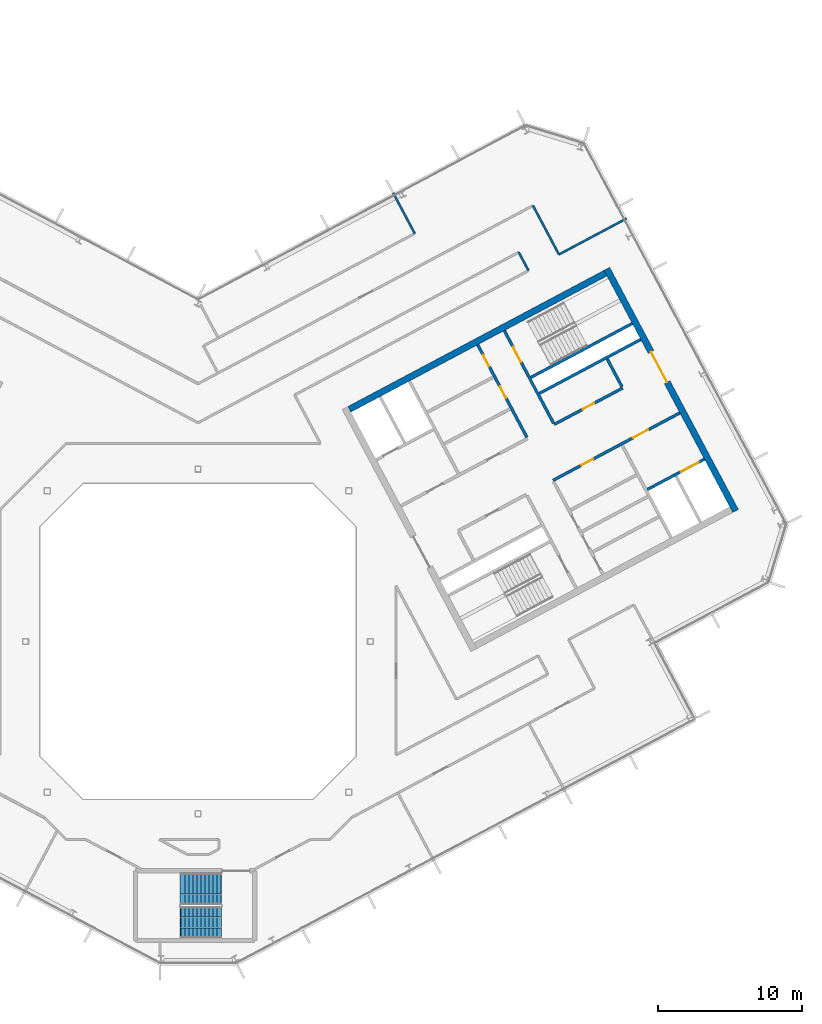
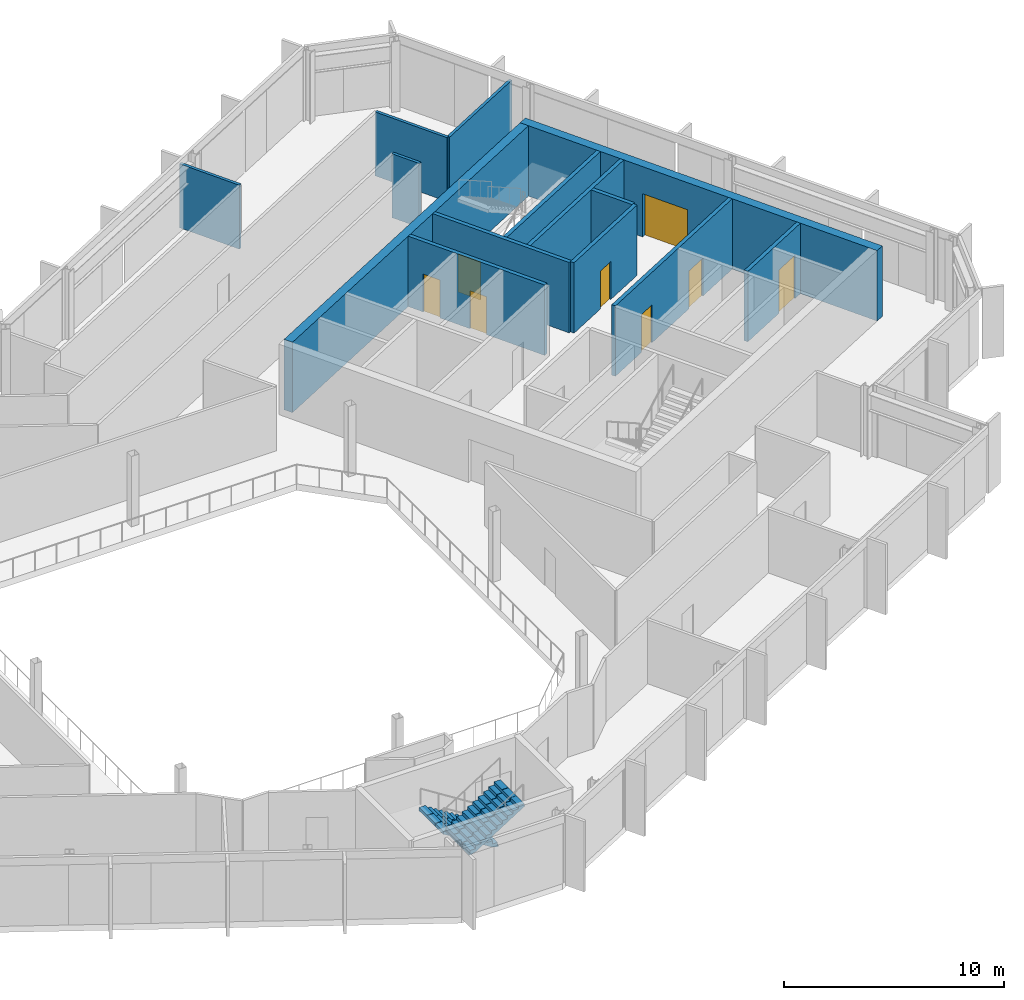
# One storey, part 17 of 26: 14 walls, 8 doors, 2 stair flights, 8 openings, 1 element without a shape of its own.
"""IFC4 building model written with IfcOpenShell, lengths in metres."""

from ifc_helpers import new_model, si_unit, direction, frame, frame_2d, origin, place, context, subcontext, project, spatial, polyline, rectangle, outline, extrude, material, layer, layer_set, type_object, element, fill, aggregate, save


model = new_model("IFC4")

# Units and contexts
model_context = context("Model", 3, precision=1e-05, world=origin(), true_north=direction((0.0, 1.0)))
body_context = subcontext(model_context, "Body", "Model", "MODEL_VIEW")
ifc_project = project(units=[si_unit("LENGTHUNIT", "METRE"), si_unit("AREAUNIT", "SQUARE_METRE"), si_unit("VOLUMEUNIT", "CUBIC_METRE"), si_unit("PLANEANGLEUNIT", "RADIAN"), si_unit("MASSUNIT", "GRAM", prefix="KILO")], contexts=[model_context])

# Site, building, storey
site_placement = place(None, origin())
site = spatial("IfcSite", under=ifc_project, at=site_placement, CompositionType="ELEMENT")
building_placement = place(site_placement, origin())
building = spatial("IfcBuilding", under=site, at=building_placement, Name="Cormorant Relay Tower", CompositionType="ELEMENT")
storey_placement = place(building_placement, frame((0.0, 0.0, 312.60009765625)))
storey = spatial("IfcBuildingStorey", under=building, at=storey_placement, Name="L71", CompositionType="ELEMENT", Elevation=312.60009765625)

# Wall, openings, doors
ifc_material_1 = material(Name="Concrete 50 MPa", Category="concrete")
ifc_layer_1 = layer(ifc_material_1, 0.199951171875)
ifc_layer_set_1 = layer_set([ifc_layer_1], Name="Core shaft wall 200")
wall_type_1 = type_object("IfcWallType", Name="Core shaft wall 200", PredefinedType="SHEAR", material=ifc_layer_set_1)
wall_1_placement = place(storey_placement, frame((22.90625, 14.218017578125, 0.0), z_axis=(0.0, 0.0, 1.0), x_axis=(-0.469480409012, 0.88294288918, 0.0)))
wall_1 = element("IfcWall", 1, at=wall_1_placement, inside=storey, type_object=wall_type_1, Name="L71 core B shaft wall", PredefinedType="SHEAR", context=body_context, shape_type="SweptSolid", body=[
    extrude(rectangle(XDim=7.300048828125, YDim=0.199951171875, at=frame_2d((3.64990234375, 0.0))), origin(), (0.0, 0.0, 1.0), 3.89990234375),
])
opening_1_placement = place(wall_1_placement, frame((3.10009765625, 0.0, 0.0)))
opening_1 = element("IfcOpeningElement", 2, at=opening_1_placement, cuts=wall_1, Name="Opening CDD-348", PredefinedType="OPENING", context=body_context, shape_type="SweptSolid", body=[
    extrude(rectangle(XDim=0.89990234375, YDim=2.10009765625, at=frame_2d((0.449951171875, 1.050048828125))), frame((0.0, 0.10986328125, 0.0), z_axis=(0.0, -1.0, 0.0), x_axis=(1.0, 0.0, 0.0)), (0.0, 0.0, 1.0), 0.219970703125),
])
opening_2_placement = place(wall_1_placement, frame((5.60009765625, 0.0, 0.0)))
opening_2 = element("IfcOpeningElement", 3, at=opening_2_placement, cuts=wall_1, Name="Opening CDD-349", PredefinedType="OPENING", context=body_context, shape_type="SweptSolid", body=[
    extrude(rectangle(XDim=0.89990234375, YDim=2.10009765625, at=frame_2d((0.449951171875, 1.050048828125))), frame((0.0, 0.10986328125, 0.0), z_axis=(0.0, -1.0, 0.0), x_axis=(1.0, 0.0, 0.0)), (0.0, 0.0, 1.0), 0.219970703125),
])
ifc_material_2 = material(Name="Steel fire door", Category="steel")
door_type_1 = type_object("IfcDoorType", Name="Core room door 900x2100", OperationType="SINGLE_SWING_LEFT", PredefinedType="DOOR", material=ifc_material_2)
door_1_placement = place(opening_1_placement, origin())
door_1 = element("IfcDoor", 4, at=door_1_placement, inside=storey, type_object=door_type_1, Name="Core room door 900x2100", OperationType="SINGLE_SWING_RIGHT", OverallHeight=2.10009765625, OverallWidth=0.89990234375, PredefinedType="DOOR", context=body_context, shape_type="SweptSolid", body=[
    extrude(rectangle(XDim=0.89990234375, YDim=2.10009765625, at=frame_2d((0.449951171875, 1.050048828125))), frame((0.0, 0.02490234375, 0.0), z_axis=(0.0, -1.0, 0.0), x_axis=(1.0, 0.0, 0.0)), (0.0, 0.0, 1.0), 0.050048828125),
])
fill(opening_1, door_1)
door_2_placement = place(opening_2_placement, origin())
door_2 = element("IfcDoor", 5, at=door_2_placement, inside=storey, type_object=door_type_1, Name="Core room door 900x2100", OperationType="SINGLE_SWING_LEFT", OverallHeight=2.10009765625, OverallWidth=0.89990234375, PredefinedType="DOOR", context=body_context, shape_type="SweptSolid", body=[
    extrude(rectangle(XDim=0.89990234375, YDim=2.10009765625, at=frame_2d((0.449951171875, 1.050048828125))), frame((0.0, 0.02490234375, 0.0), z_axis=(0.0, -1.0, 0.0), x_axis=(1.0, 0.0, 0.0)), (0.0, 0.0, 1.0), 0.050048828125),
])
fill(opening_2, door_2)

# Wall, opening, door
wall_2_placement = place(storey_placement, frame((24.760498046875, 15.2041015625, 0.0), z_axis=(0.0, 0.0, 1.0), x_axis=(-0.469494272526, 0.882935517501, 0.0)))
wall_2 = element("IfcWall", 6, at=wall_2_placement, inside=storey, type_object=wall_type_1, Name="L71 core B shaft wall", PredefinedType="SHEAR", context=body_context, shape_type="SweptSolid", body=[
    extrude(rectangle(XDim=7.2998046875, YDim=0.199951171875, at=frame_2d((3.64990234375, 0.0))), origin(), (0.0, 0.0, 1.0), 3.89990234375),
])
opening_3_placement = place(wall_2_placement, frame((4.800048828125, 0.0, 0.0)))
opening_3 = element("IfcOpeningElement", 7, at=opening_3_placement, cuts=wall_2, Name="Opening CDB-041", PredefinedType="OPENING", context=body_context, shape_type="SweptSolid", body=[
    extrude(rectangle(XDim=1.199951171875, YDim=2.10009765625, at=frame_2d((0.60009765625, 1.050048828125))), frame((0.0, 0.10986328125, 0.0), z_axis=(0.0, -1.0, 0.0), x_axis=(1.0, 0.0, 0.0)), (0.0, 0.0, 1.0), 0.219970703125),
])
ifc_material_3 = material(Name="Steel fire door", Category="steel")
door_type_2 = type_object("IfcDoorType", Name="Core stair door 1200x2100", OperationType="SINGLE_SWING_LEFT", PredefinedType="DOOR", material=ifc_material_3)
door_3_placement = place(opening_3_placement, frame((1.199951171875, 0.0, 0.0), z_axis=(0.0, 0.0, 1.0), x_axis=(-1.0, 0.0, 0.0)))
door_3 = element("IfcDoor", 8, at=door_3_placement, inside=storey, type_object=door_type_2, Name="Core stair door 1200x2100", OperationType="SINGLE_SWING_RIGHT", OverallHeight=2.10009765625, OverallWidth=1.199951171875, PredefinedType="DOOR", context=body_context, shape_type="SweptSolid", body=[
    extrude(rectangle(XDim=1.199951171875, YDim=2.10009765625, at=frame_2d((0.60009765625, 1.050048828125))), frame((0.0, 0.02490234375, 0.0), z_axis=(0.0, -1.0, 0.0), x_axis=(1.0, 0.0, 0.0)), (0.0, 0.0, 1.0), 0.050048828125),
])
fill(opening_3, door_3)

# Wall
wall_3_placement = place(storey_placement, frame((29.5283203125, 17.739013671875, 0.0), z_axis=(0.0, 0.0, 1.0), x_axis=(-0.469401318492, 0.882984938828, 0.0)))
element("IfcWall", 9, at=wall_3_placement, inside=storey, type_object=wall_type_1, Name="L71 core B shaft wall", PredefinedType="SHEAR", context=body_context, shape_type="SweptSolid", body=[
    extrude(rectangle(XDim=2.199951171875, YDim=0.199951171875, at=frame_2d((1.10009765625, 0.0))), origin(), (0.0, 0.0, 1.0), 3.89990234375),
])

# Wall, opening, door
wall_4_placement = place(storey_placement, frame((31.295654296875, 10.5810546875, 0.0), z_axis=(0.0, 0.0, 1.0), x_axis=(0.882960433586, 0.469447412093, 0.0)))
wall_4 = element("IfcWall", 10, at=wall_4_placement, inside=storey, type_object=wall_type_1, Name="L71 core B shaft wall", PredefinedType="SHEAR", context=body_context, shape_type="SweptSolid", body=[
    extrude(rectangle(XDim=4.5, YDim=0.199951171875, at=frame_2d((2.25, 0.0))), origin(), (0.0, 0.0, 1.0), 3.89990234375),
])
opening_4_placement = place(wall_4_placement, frame((2.64990234375, 0.0, 0.0)))
opening_4 = element("IfcOpeningElement", 11, at=opening_4_placement, cuts=wall_4, Name="Opening LD3-016", PredefinedType="OPENING", context=body_context, shape_type="SweptSolid", body=[
    extrude(rectangle(XDim=1.39990234375, YDim=2.39990234375, at=frame_2d((0.699951171875, 1.199951171875))), frame((0.0, 0.10986328125, 0.0), z_axis=(0.0, -1.0, 0.0), x_axis=(1.0, 0.0, 0.0)), (0.0, 0.0, 1.0), 0.219970703125),
])
ifc_material_4 = material(Name="Stainless steel 316", Category="steel")
door_type_3 = type_object("IfcDoorType", Name="Lift landing door 1400x2400", OperationType="DOUBLE_DOOR_SLIDING", PredefinedType="DOOR", material=ifc_material_4)
door_4_placement = place(opening_4_placement, origin())
door_4 = element("IfcDoor", 12, at=door_4_placement, inside=storey, type_object=door_type_3, Name="SV2 landing door", OperationType="DOUBLE_DOOR_SLIDING", OverallHeight=2.39990234375, OverallWidth=1.39990234375, PredefinedType="DOOR", context=body_context, shape_type="SweptSolid", body=[
    extrude(rectangle(XDim=1.39990234375, YDim=2.39990234375, at=frame_2d((0.699951171875, 1.199951171875))), frame((0.0, 0.02490234375, 0.0), z_axis=(0.0, -1.0, 0.0), x_axis=(1.0, 0.0, 0.0)), (0.0, 0.0, 1.0), 0.050048828125),
])
fill(opening_4, door_4)

# Wall, openings, doors
wall_5_placement = place(storey_placement, frame((24.72607421875, 11.2216796875, 0.0), z_axis=(0.0, 0.0, 1.0), x_axis=(0.882940221191, 0.469485426614, 0.0)))
wall_5 = element("IfcWall", 13, at=wall_5_placement, inside=storey, type_object=wall_type_1, Name="L71 core B shaft wall", PredefinedType="SHEAR", context=body_context, shape_type="SweptSolid", body=[
    extrude(rectangle(XDim=10.0, YDim=0.199951171875, at=frame_2d((5.0, 0.0))), origin(), (0.0, 0.0, 1.0), 3.89990234375),
])
opening_5_placement = place(wall_5_placement, frame((6.300048828125, 0.0, 0.0)))
opening_5 = element("IfcOpeningElement", 14, at=opening_5_placement, cuts=wall_5, Name="Opening CDC-038", PredefinedType="OPENING", context=body_context, shape_type="SweptSolid", body=[
    extrude(rectangle(XDim=1.199951171875, YDim=2.10009765625, at=frame_2d((0.60009765625, 1.050048828125))), frame((0.0, 0.10986328125, 0.0), z_axis=(0.0, -1.0, 0.0), x_axis=(1.0, 0.0, 0.0)), (0.0, 0.0, 1.0), 0.219970703125),
])
opening_6_placement = place(wall_5_placement, frame((2.25, 0.0, 0.0)))
opening_6 = element("IfcOpeningElement", 15, at=opening_6_placement, cuts=wall_5, Name="Opening CDD-332", PredefinedType="OPENING", context=body_context, shape_type="SweptSolid", body=[
    extrude(rectangle(XDim=0.89990234375, YDim=2.10009765625, at=frame_2d((0.449951171875, 1.050048828125))), frame((0.0, 0.10986328125, 0.0), z_axis=(0.0, -1.0, 0.0), x_axis=(1.0, 0.0, 0.0)), (0.0, 0.0, 1.0), 0.219970703125),
])
ifc_material_5 = material(Name="Steel fire door", Category="steel")
door_type_4 = type_object("IfcDoorType", Name="Core lobby door 1200x2100", OperationType="SINGLE_SWING_LEFT", PredefinedType="DOOR", material=ifc_material_5)
door_5_placement = place(opening_5_placement, origin())
door_5 = element("IfcDoor", 16, at=door_5_placement, inside=storey, type_object=door_type_4, Name="Core lobby door 1200x2100", OperationType="SINGLE_SWING_LEFT", OverallHeight=2.10009765625, OverallWidth=1.199951171875, PredefinedType="DOOR", context=body_context, shape_type="SweptSolid", body=[
    extrude(rectangle(XDim=1.199951171875, YDim=2.10009765625, at=frame_2d((0.60009765625, 1.050048828125))), frame((0.0, 0.02490234375, 0.0), z_axis=(0.0, -1.0, 0.0), x_axis=(1.0, 0.0, 0.0)), (0.0, 0.0, 1.0), 0.050048828125),
])
fill(opening_5, door_5)
door_6_placement = place(opening_6_placement, origin())
door_6 = element("IfcDoor", 17, at=door_6_placement, inside=storey, type_object=door_type_1, Name="Core room door 900x2100", OperationType="SINGLE_SWING_LEFT", OverallHeight=2.10009765625, OverallWidth=0.89990234375, PredefinedType="DOOR", context=body_context, shape_type="SweptSolid", body=[
    extrude(rectangle(XDim=0.89990234375, YDim=2.10009765625, at=frame_2d((0.449951171875, 1.050048828125))), frame((0.0, 0.02490234375, 0.0), z_axis=(0.0, -1.0, 0.0), x_axis=(1.0, 0.0, 0.0)), (0.0, 0.0, 1.0), 0.050048828125),
])
fill(opening_6, door_6)

# Wall, opening, door
wall_6_placement = place(storey_placement, frame((24.807373046875, 15.11572265625, 0.0), z_axis=(0.0, 0.0, 1.0), x_axis=(0.882942972946, 0.469480251476, 0.0)))
wall_6 = element("IfcWall", 18, at=wall_6_placement, inside=storey, type_object=wall_type_1, Name="L71 core B shaft wall", PredefinedType="SHEAR", context=body_context, shape_type="SweptSolid", body=[
    extrude(rectangle(XDim=5.39990234375, YDim=0.199951171875, at=frame_2d((2.699951171875, 0.0))), origin(), (0.0, 0.0, 1.0), 3.89990234375),
])
opening_7_placement = place(wall_6_placement, frame((2.25, 0.0, 0.0)))
opening_7 = element("IfcOpeningElement", 19, at=opening_7_placement, cuts=wall_6, Name="Opening CDD-261", PredefinedType="OPENING", context=body_context, shape_type="SweptSolid", body=[
    extrude(rectangle(XDim=0.89990234375, YDim=2.10009765625, at=frame_2d((0.449951171875, 1.050048828125))), frame((0.0, 0.10986328125, 0.0), z_axis=(0.0, -1.0, 0.0), x_axis=(1.0, 0.0, 0.0)), (0.0, 0.0, 1.0), 0.219970703125),
])
door_7_placement = place(opening_7_placement, origin())
door_7 = element("IfcDoor", 20, at=door_7_placement, inside=storey, type_object=door_type_1, Name="Core room door 900x2100", OperationType="SINGLE_SWING_LEFT", OverallHeight=2.10009765625, OverallWidth=0.89990234375, PredefinedType="DOOR", context=body_context, shape_type="SweptSolid", body=[
    extrude(rectangle(XDim=0.89990234375, YDim=2.10009765625, at=frame_2d((0.449951171875, 1.050048828125))), frame((0.0, 0.02490234375, 0.0), z_axis=(0.0, -1.0, 0.0), x_axis=(1.0, 0.0, 0.0)), (0.0, 0.0, 1.0), 0.050048828125),
])
fill(opening_7, door_7)

# Walls
wall_7_placement = place(storey_placement, frame((23.76904296875, 17.28173828125, 0.0), z_axis=(0.0, 0.0, 1.0), x_axis=(0.882940221191, 0.469485426614, 0.0)))
element("IfcWall", 21, at=wall_7_placement, inside=storey, type_object=wall_type_1, Name="L71 core B shaft wall", PredefinedType="SHEAR", context=body_context, shape_type="SweptSolid", body=[
    extrude(rectangle(XDim=8.0, YDim=0.199951171875, at=frame_2d((4.0, 0.0))), origin(), (0.0, 0.0, 1.0), 3.89990234375),
])
wall_8_placement = place(storey_placement, frame((23.18212890625, 18.385498046875, 0.0), z_axis=(0.0, 0.0, 1.0), x_axis=(0.88295287151, 0.469461634952, 0.0)))
element("IfcWall", 22, at=wall_8_placement, inside=storey, type_object=wall_type_1, Name="L71 core B shaft wall", PredefinedType="SHEAR", context=body_context, shape_type="SweptSolid", body=[
    extrude(rectangle(XDim=7.999755859375, YDim=0.199951171875, at=frame_2d((4.0, 0.0))), origin(), (0.0, 0.0, 1.0), 3.89990234375),
])

# Wall, opening, door
ifc_material_6 = material(Name="Concrete 50 MPa", Category="concrete")
ifc_layer_2 = layer(ifc_material_6, 0.449951171875)
ifc_layer_set_2 = layer_set([ifc_layer_2], Name="Core wall 450")
wall_type_2 = type_object("IfcWallType", Name="Core wall 450", PredefinedType="SHEAR", material=ifc_layer_set_2)
wall_9_placement = place(storey_placement, frame((37.439453125, 9.0908203125, 0.0), z_axis=(0.0, 0.0, 1.0), x_axis=(-0.469467968382, 0.882949504028, 0.0)))
wall_9 = element("IfcWall", 23, at=wall_9_placement, inside=storey, type_object=wall_type_2, Name="L71 core B wall", PredefinedType="SHEAR", context=body_context, shape_type="SweptSolid", body=[
    extrude(rectangle(XDim=19.099853515625, YDim=0.449951171875, at=frame_2d((9.5498046875, 0.0))), origin(), (0.0, 0.0, 1.0), 3.89990234375),
])
opening_8_placement = place(wall_9_placement, frame((10.14990234375, 0.0, 0.0)))
opening_8 = element("IfcOpeningElement", 24, at=opening_8_placement, cuts=wall_9, Name="Opening CDA-053", PredefinedType="OPENING", context=body_context, shape_type="SweptSolid", body=[
    extrude(rectangle(XDim=2.39990234375, YDim=2.39990234375, at=frame_2d((1.199951171875, 1.199951171875))), frame((0.0, 0.23486328125, 0.0), z_axis=(0.0, -1.0, 0.0), x_axis=(1.0, 0.0, 0.0)), (0.0, 0.0, 1.0), 0.469970703125),
])
ifc_material_7 = material(Name="Steel fire door", Category="steel")
door_type_5 = type_object("IfcDoorType", Name="Core lobby door 2400x2400", OperationType="DOUBLE_DOOR_SINGLE_SWING", PredefinedType="DOOR", material=ifc_material_7)
door_8_placement = place(opening_8_placement, origin())
door_8 = element("IfcDoor", 25, at=door_8_placement, inside=storey, type_object=door_type_5, Name="Core lobby door 2400x2400", OperationType="DOUBLE_DOOR_SINGLE_SWING", OverallHeight=2.39990234375, OverallWidth=2.39990234375, PredefinedType="DOOR", context=body_context, shape_type="SweptSolid", body=[
    extrude(rectangle(XDim=2.39990234375, YDim=2.39990234375, at=frame_2d((1.199951171875, 1.199951171875))), frame((0.0, 0.02490234375, 0.0), z_axis=(0.0, -1.0, 0.0), x_axis=(1.0, 0.0, 0.0)), (0.0, 0.0, 1.0), 0.050048828125),
])
fill(opening_8, door_8)

# Walls
wall_10_placement = place(storey_placement, frame((10.5439453125, 16.16748046875, 0.0), z_axis=(0.0, 0.0, 1.0), x_axis=(0.882947755831, 0.46947125628, 0.0)))
element("IfcWall", 26, at=wall_10_placement, inside=storey, type_object=wall_type_2, Name="L71 core B wall", PredefinedType="SHEAR", context=body_context, shape_type="SweptSolid", body=[
    extrude(rectangle(XDim=20.2001953125, YDim=0.449951171875, at=frame_2d((10.10009765625, 0.0))), origin(), (0.0, 0.0, 1.0), 3.89990234375),
])
ifc_material_8 = material(Name="Gypsum board fire partition")
ifc_layer_3 = layer(ifc_material_8, 0.14990234375)
ifc_layer_set_3 = layer_set([ifc_layer_3], Name="Corridor partition 150 EI 60")
wall_type_3 = type_object("IfcWallType", Name="Corridor partition 150 EI 60", PredefinedType="PARTITIONING", material=ifc_layer_set_3)
wall_11_placement = place(storey_placement, frame((22.3369140625, 27.110107421875, 0.0), z_axis=(0.0, 0.0, 1.0), x_axis=(0.46976654726, -0.882790683614, 0.0)))
element("IfcWall", 27, at=wall_11_placement, inside=storey, type_object=wall_type_3, Name="wall/L71/part/018", PredefinedType="PARTITIONING", context=body_context, shape_type="SweptSolid", body=[
    extrude(rectangle(XDim=1.449951171875, YDim=0.14990234375, at=frame_2d((0.72509765625, 0.0))), origin(), (0.0, 0.0, 1.0), 3.539794921875),
])
wall_12_placement = place(storey_placement, frame((29.862060546875, 29.466064453125, 0.0), z_axis=(0.0, 0.0, 1.0), x_axis=(-0.882849858528, -0.469655328191, 0.0)))
element("IfcWall", 28, at=wall_12_placement, inside=storey, type_object=wall_type_3, Name="wall/L71/part/063", PredefinedType="PARTITIONING", context=body_context, shape_type="SweptSolid", body=[
    extrude(rectangle(XDim=5.353271484375, YDim=0.14990234375, at=frame_2d((2.6767578125, 0.0))), origin(), (0.0, 0.0, 1.0), 3.539794921875),
])
wall_13_placement = place(storey_placement, frame((25.135986328125, 26.951904296875, 0.0), z_axis=(0.0, 0.0, 1.0), x_axis=(-0.468650225043, 0.883383816111, 0.0)))
element("IfcWall", 29, at=wall_13_placement, inside=storey, type_object=wall_type_3, Name="wall/L71/part/064", PredefinedType="PARTITIONING", context=body_context, shape_type="SweptSolid", body=[
    extrude(rectangle(XDim=3.853515625, YDim=0.14990234375, at=frame_2d((1.9267578125, 0.0))), origin(), (0.0, 0.0, 1.0), 3.539794921875),
])
ifc_material_9 = material(Name="Gypsum board partition")
ifc_layer_4 = layer(ifc_material_9, 0.14990234375)
ifc_layer_set_4 = layer_set([ifc_layer_4], Name="Tenant partition 150")
wall_type_4 = type_object("IfcWallType", Name="Tenant partition 150", PredefinedType="PARTITIONING", material=ifc_layer_set_4)
wall_14_placement = place(storey_placement, frame((15.094970703125, 28.412109375, 0.0), z_axis=(0.0, 0.0, 1.0), x_axis=(-0.469320691295, 0.883027796121, 0.0)))
element("IfcWall", 30, at=wall_14_placement, inside=storey, type_object=wall_type_4, Name="wall/L71/part/054", PredefinedType="PARTITIONING", context=body_context, shape_type="SweptSolid", body=[
    extrude(rectangle(XDim=3.2001953125, YDim=0.14990234375, at=frame_2d((1.60009765625, 0.0))), origin(), (0.0, 0.0, 1.0), 3.539794921875),
])

# Stair, stair flights
ifc_material_10 = material(Name="Concrete 40 MPa", Category="concrete")
stair_type = type_object("IfcStairType", Name="Remote exit stair 2200", PredefinedType="HALF_TURN_STAIR", material=ifc_material_10)
stair_placement = place(storey_placement, origin())
stair = element("IfcStair", 31, at=stair_placement, inside=storey, type_object=stair_type, Name="L71 Stair", PredefinedType="HALF_TURN_STAIR")
ifc_material_11 = material(Name="Concrete 40 MPa", Category="concrete")
stair_flight_type = type_object("IfcStairFlightType", Name="Remote exit stair flight 2200", PredefinedType="STRAIGHT", material=ifc_material_11)
stair_flight_1_placement = place(storey_placement, frame((1.60009765625, -17.22509765625, 0.0), z_axis=(0.0, 0.0, 1.0), x_axis=(-1.0, 0.0, 0.0)))
stair_flight_1 = element("IfcStairFlight", 32, at=stair_flight_1_placement, type_object=stair_flight_type, Name="RK1 flight 1", NumberOfRisers=11, NumberOfTreads=10, PredefinedType="STRAIGHT", RiserHeight=0.177272727, TreadLength=0.28, context=body_context, shape_type="SweptSolid", body=[
    extrude(outline(polyline([(-0.050048828125, -0.080078125), (-0.050048828125, 0.0), (0.0, 0.0), (0.0, 0.17724609375), (0.280029296875, 0.17724609375), (0.280029296875, 0.3544921875), (0.56005859375, 0.3544921875), (0.56005859375, 0.53173828125), (0.840087890625, 0.53173828125), (0.840087890625, 0.708984375), (1.1201171875, 0.708984375), (1.1201171875, 0.886474609375), (1.39990234375, 0.886474609375), (1.39990234375, 1.063720703125), (1.679931640625, 1.063720703125), (1.679931640625, 1.240966796875), (1.9599609375, 1.240966796875), (1.9599609375, 1.418212890625), (2.239990234375, 1.418212890625), (2.239990234375, 1.595458984375), (2.52001953125, 1.595458984375), (2.52001953125, 1.772705078125), (2.800048828125, 1.772705078125), (2.85009765625, 1.772705078125), (2.85009765625, 1.59521484375), (2.800048828125, 1.59521484375), (0.2802734375, 0.0), (-0.050048828125, -0.080078125)])), frame((0.0, 1.10009765625, 0.0), z_axis=(0.0, -1.0, 0.0), x_axis=(1.0, 0.0, 0.0)), (0.0, 0.0, 1.0), 0.719970703125),
    extrude(outline(polyline([(-0.050048828125, -0.080078125), (-0.050048828125, 0.0), (0.0, 0.0), (0.0, 0.17724609375), (0.280029296875, 0.17724609375), (0.280029296875, 0.3544921875), (0.56005859375, 0.3544921875), (0.56005859375, 0.53173828125), (0.840087890625, 0.53173828125), (0.840087890625, 0.708984375), (1.1201171875, 0.708984375), (1.1201171875, 0.886474609375), (1.39990234375, 0.886474609375), (1.39990234375, 1.063720703125), (1.679931640625, 1.063720703125), (1.679931640625, 1.240966796875), (1.9599609375, 1.240966796875), (1.9599609375, 1.418212890625), (2.239990234375, 1.418212890625), (2.239990234375, 1.595458984375), (2.52001953125, 1.595458984375), (2.52001953125, 1.772705078125), (2.800048828125, 1.772705078125), (2.85009765625, 1.772705078125), (2.85009765625, 1.59521484375), (2.800048828125, 1.59521484375), (0.2802734375, 0.0), (-0.050048828125, -0.080078125)])), frame((0.0, 0.360107421875, 0.0), z_axis=(0.0, -1.0, 0.0), x_axis=(1.0, 0.0, 0.0)), (0.0, 0.0, 1.0), 0.719970703125),
    extrude(outline(polyline([(-0.050048828125, -0.080078125), (-0.050048828125, 0.0), (0.0, 0.0), (0.0, 0.17724609375), (0.280029296875, 0.17724609375), (0.280029296875, 0.3544921875), (0.56005859375, 0.3544921875), (0.56005859375, 0.53173828125), (0.840087890625, 0.53173828125), (0.840087890625, 0.708984375), (1.1201171875, 0.708984375), (1.1201171875, 0.886474609375), (1.39990234375, 0.886474609375), (1.39990234375, 1.063720703125), (1.679931640625, 1.063720703125), (1.679931640625, 1.240966796875), (1.9599609375, 1.240966796875), (1.9599609375, 1.418212890625), (2.239990234375, 1.418212890625), (2.239990234375, 1.595458984375), (2.52001953125, 1.595458984375), (2.52001953125, 1.772705078125), (2.800048828125, 1.772705078125), (2.85009765625, 1.772705078125), (2.85009765625, 1.59521484375), (2.800048828125, 1.59521484375), (0.2802734375, 0.0), (-0.050048828125, -0.080078125)])), frame((0.0, -0.3798828125, 0.0), z_axis=(0.0, -1.0, 0.0), x_axis=(1.0, 0.0, 0.0)), (0.0, 0.0, 1.0), 0.719970703125),
])
stair_flight_2_placement = place(storey_placement, frame((-1.199951171875, -19.574951171875, 1.949951171875), z_axis=(0.0, 0.0, 1.0), x_axis=(1.0, 0.0, 0.0)))
stair_flight_2 = element("IfcStairFlight", 33, at=stair_flight_2_placement, type_object=stair_flight_type, Name="RK1 flight 2", NumberOfRisers=11, NumberOfTreads=10, PredefinedType="STRAIGHT", RiserHeight=0.177272727, TreadLength=0.28, context=body_context, shape_type="SweptSolid", body=[
    extrude(outline(polyline([(-0.050048828125, -0.080078125), (-0.050048828125, 0.0), (0.0, 0.0), (0.0, 0.17724609375), (0.280029296875, 0.17724609375), (0.280029296875, 0.3544921875), (0.56005859375, 0.3544921875), (0.56005859375, 0.53173828125), (0.840087890625, 0.53173828125), (0.840087890625, 0.708984375), (1.1201171875, 0.708984375), (1.1201171875, 0.886474609375), (1.39990234375, 0.886474609375), (1.39990234375, 1.063720703125), (1.679931640625, 1.063720703125), (1.679931640625, 1.240966796875), (1.9599609375, 1.240966796875), (1.9599609375, 1.418212890625), (2.239990234375, 1.418212890625), (2.239990234375, 1.595458984375), (2.52001953125, 1.595458984375), (2.52001953125, 1.772705078125), (2.800048828125, 1.772705078125), (2.85009765625, 1.772705078125), (2.85009765625, 1.59521484375), (2.800048828125, 1.59521484375), (0.2802734375, 0.0), (-0.050048828125, -0.080078125)])), frame((0.0, 1.10009765625, 0.0), z_axis=(0.0, -1.0, 0.0), x_axis=(1.0, 0.0, 0.0)), (0.0, 0.0, 1.0), 0.719970703125),
    extrude(outline(polyline([(-0.050048828125, -0.080078125), (-0.050048828125, 0.0), (0.0, 0.0), (0.0, 0.17724609375), (0.280029296875, 0.17724609375), (0.280029296875, 0.3544921875), (0.56005859375, 0.3544921875), (0.56005859375, 0.53173828125), (0.840087890625, 0.53173828125), (0.840087890625, 0.708984375), (1.1201171875, 0.708984375), (1.1201171875, 0.886474609375), (1.39990234375, 0.886474609375), (1.39990234375, 1.063720703125), (1.679931640625, 1.063720703125), (1.679931640625, 1.240966796875), (1.9599609375, 1.240966796875), (1.9599609375, 1.418212890625), (2.239990234375, 1.418212890625), (2.239990234375, 1.595458984375), (2.52001953125, 1.595458984375), (2.52001953125, 1.772705078125), (2.800048828125, 1.772705078125), (2.85009765625, 1.772705078125), (2.85009765625, 1.59521484375), (2.800048828125, 1.59521484375), (0.2802734375, 0.0), (-0.050048828125, -0.080078125)])), frame((0.0, 0.360107421875, 0.0), z_axis=(0.0, -1.0, 0.0), x_axis=(1.0, 0.0, 0.0)), (0.0, 0.0, 1.0), 0.719970703125),
    extrude(outline(polyline([(-0.050048828125, -0.080078125), (-0.050048828125, 0.0), (0.0, 0.0), (0.0, 0.17724609375), (0.280029296875, 0.17724609375), (0.280029296875, 0.3544921875), (0.56005859375, 0.3544921875), (0.56005859375, 0.53173828125), (0.840087890625, 0.53173828125), (0.840087890625, 0.708984375), (1.1201171875, 0.708984375), (1.1201171875, 0.886474609375), (1.39990234375, 0.886474609375), (1.39990234375, 1.063720703125), (1.679931640625, 1.063720703125), (1.679931640625, 1.240966796875), (1.9599609375, 1.240966796875), (1.9599609375, 1.418212890625), (2.239990234375, 1.418212890625), (2.239990234375, 1.595458984375), (2.52001953125, 1.595458984375), (2.52001953125, 1.772705078125), (2.800048828125, 1.772705078125), (2.85009765625, 1.772705078125), (2.85009765625, 1.59521484375), (2.800048828125, 1.59521484375), (0.2802734375, 0.0), (-0.050048828125, -0.080078125)])), frame((0.0, -0.3798828125, 0.0), z_axis=(0.0, -1.0, 0.0), x_axis=(1.0, 0.0, 0.0)), (0.0, 0.0, 1.0), 0.719970703125),
])
aggregate(stair, [stair_flight_1, stair_flight_2])

save(model, "model.ifc")
